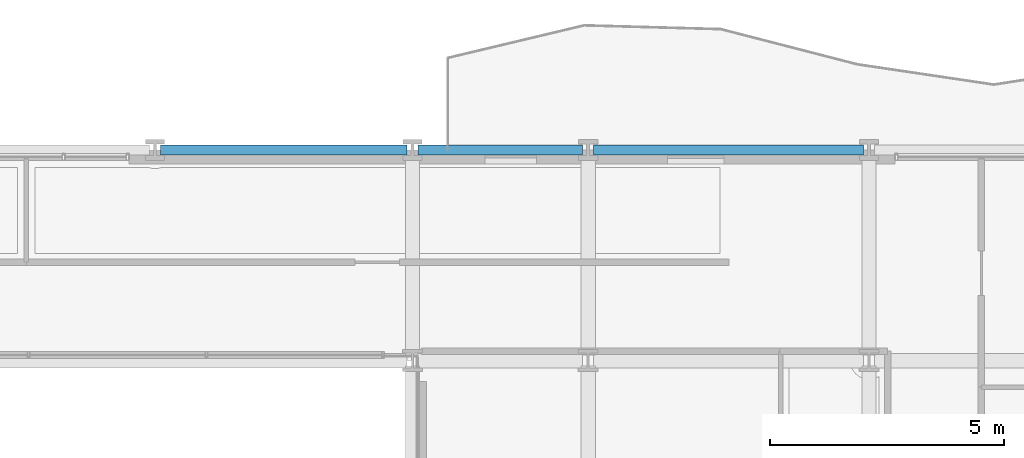
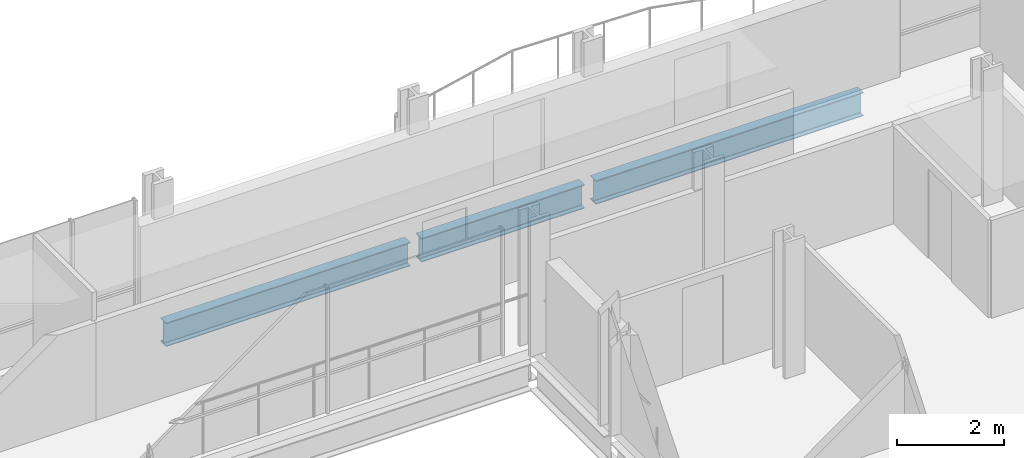
# One storey, part 23 of 41: 3 beams.
"""IFC4 building model written with IfcOpenShell, lengths in metres."""

import ifcopenshell
import ifcopenshell.guid

model = None  # the IFC model being written
_history = None  # IfcOwnerHistory: only IFC2X3 demands one
_inside = {}  # id of a spatial element -> (the spatial element, [elements in it])
_under = {}  # id of a project, library or spatial element -> (it, [spatial elements below it])
_declared = {}  # id of a project -> (the project, [libraries it declares])
_typed = {}  # id of a type object -> (the type object, [elements of that type])
_made_of = {}  # id of a material, layer set ... -> (it, [elements and type objects made of it])


def new_model(schema):
    """Start an empty IFC model of exactly this schema.

    Asked for "IFC4X3", IfcOpenShell would pick the latest addendum, in which some entities
    have other attributes; the version numbers below select the first issue.
    IFC2X3 requires an IfcOwnerHistory on every rooted entity: one is made here for all.
    """
    global model, _history
    if schema == "IFC4X3":
        model = ifcopenshell.file(schema_version=(4, 3, 0, 0))
    else:
        model = ifcopenshell.file(schema=schema)
    _inside.clear()
    _under.clear()
    _declared.clear()
    _typed.clear()
    _made_of.clear()
    _history = None
    if model.schema == "IFC2X3":
        org = make("IfcOrganization", Name="unknown")
        user = make(
            "IfcPersonAndOrganization",
            ThePerson=make("IfcPerson", FamilyName="unknown"),
            TheOrganization=org,
        )
        app = make(
            "IfcApplication",
            ApplicationDeveloper=org,
            Version="unknown",
            ApplicationFullName="unknown",
            ApplicationIdentifier="unknown",
        )
        _history = make(
            "IfcOwnerHistory",
            OwningUser=user,
            OwningApplication=app,
            ChangeAction="ADDED",
            CreationDate=0,
        )
    return model


def make(cls, **values):
    """One entity of the class cls with the attributes given. An attribute that is None is left unset."""
    return model.create_entity(
        cls, **{name: value for name, value in values.items() if value is not None}
    )


def rooted(cls, **values):
    """An entity with a GlobalId (a new one), such as an element, a storey or a relation."""
    return make(cls, GlobalId=ifcopenshell.guid.new(), OwnerHistory=_history, **values)


def si_unit(unit_type, name, prefix=None):
    """IfcSIUnit, for example si_unit("LENGTHUNIT", "METRE", prefix="MILLI")."""
    return make("IfcSIUnit", UnitType=unit_type, Prefix=prefix, Name=name)


def assignment(units):
    """IfcUnitAssignment: the units of a project."""
    return None if units is None else make("IfcUnitAssignment", Units=units)


def point(xyz):
    """IfcCartesianPoint."""
    return None if xyz is None else make("IfcCartesianPoint", Coordinates=xyz)


def direction(xyz):
    """IfcDirection."""
    return None if xyz is None else make("IfcDirection", DirectionRatios=xyz)


def frame(location, z_axis=None, x_axis=None):
    """IfcAxis2Placement3D, a coordinate frame: its origin and axes. An axis left out is left unset."""
    return make(
        "IfcAxis2Placement3D",
        Location=point(location),
        Axis=direction(z_axis),
        RefDirection=direction(x_axis),
    )


def frame_2d(location, x_axis=None):
    """IfcAxis2Placement2D, a coordinate frame in the plane: its origin and x axis."""
    return make(
        "IfcAxis2Placement2D", Location=point(location), RefDirection=direction(x_axis)
    )


def origin():
    """The frame at (0, 0, 0) with its axes left unset."""
    return frame((0.0, 0.0, 0.0))


def origin_2d():
    """The frame at (0, 0) in the plane with its x axis left unset."""
    return frame_2d((0.0, 0.0))


def place(relative_to, where):
    """IfcLocalPlacement: puts the frame where relative to a parent placement (None: the world)."""
    return make(
        "IfcLocalPlacement", PlacementRelTo=relative_to, RelativePlacement=where
    )


def context(
    kind, dimensions, precision=None, world=None, true_north=None, identifier=None
):
    """IfcGeometricRepresentationContext, for example the 3D "Model" context."""
    return make(
        "IfcGeometricRepresentationContext",
        ContextIdentifier=identifier,
        ContextType=kind,
        CoordinateSpaceDimension=dimensions,
        Precision=precision,
        WorldCoordinateSystem=world,
        TrueNorth=true_north,
    )


def subcontext(parent, identifier, kind, view, scale=None):
    """IfcGeometricRepresentationSubContext, for example "Body" below "Model"."""
    return make(
        "IfcGeometricRepresentationSubContext",
        ContextIdentifier=identifier,
        ContextType=kind,
        ParentContext=parent,
        TargetScale=scale,
        TargetView=view,
    )


def project(units=None, contexts=None):
    """IfcProject with its units and contexts."""
    return rooted(
        "IfcProject",
        Name="project",
        RepresentationContexts=contexts,
        UnitsInContext=assignment(units),
    )


def spatial(cls, under=None, at=None, **own):
    """A site, building, storey or space (cls), placed at a placement, below another one or the project."""
    s = rooted(cls, ObjectPlacement=at, **own)
    if under is not None:
        _under.setdefault(under.id(), (under, []))[1].append(s)
    return s


def profile(cls, at=None, kind="AREA", **sizes):
    """A parametric profile (cls). Its sizes go by their IFC names, for example OverallWidth=200.0."""
    return make(cls, ProfileType=kind, Position=at, **sizes)


def i_section(**sizes):
    """IfcIShapeProfileDef."""
    return profile("IfcIShapeProfileDef", **sizes)


def extrude(swept, where, along, depth):
    """IfcExtrudedAreaSolid: the profile swept, set in the frame where, extruded along a direction by depth."""
    return make(
        "IfcExtrudedAreaSolid",
        SweptArea=swept,
        Position=where,
        ExtrudedDirection=direction(along),
        Depth=depth,
    )


def shape(context_of_items, identifier, shape_type, items):
    """IfcShapeRepresentation: the items that make up one representation, for example the "Body"."""
    return make(
        "IfcShapeRepresentation",
        ContextOfItems=context_of_items,
        RepresentationIdentifier=identifier,
        RepresentationType=shape_type,
        Items=items,
    )


def material(Name=None, Category=None):
    """IfcMaterial."""
    return make("IfcMaterial", Name=Name, Category=Category)


def material_profile(
    of_material, cross_section, Name=None, Category=None, Priority=None
):
    """IfcMaterialProfile: a cross section and its material."""
    return make(
        "IfcMaterialProfile",
        Name=Name,
        Material=of_material,
        Profile=cross_section,
        Priority=Priority,
        Category=Category,
    )


def profile_set(profiles, Name=None, composite=None):
    """IfcMaterialProfileSet."""
    return make(
        "IfcMaterialProfileSet",
        Name=Name,
        MaterialProfiles=profiles,
        CompositeProfile=composite,
    )


def made_of(thing, what):
    """Note that an element or type object is made of a material, layer set ...; save() writes the relation."""
    if what is not None:
        _made_of.setdefault(what.id(), (what, []))[1].append(thing)
    return thing


def type_object(cls, material=None, **own):
    """A type object (cls), such as IfcWallType, which elements share."""
    return made_of(rooted(cls, **own), material)


def element(
    cls,
    number,
    at=None,
    inside=None,
    cuts=None,
    type_object=None,
    material=None,
    context=None,
    identifier="Body",
    shape_type=None,
    held_by="IfcProductDefinitionShape",
    body=None,
    shapes=None,
    **own,
):
    """One element of the class cls, such as IfcWall. Its Tag is "e" and its number.

    at: its placement. inside: the storey or other place that contains it. cuts: it is an
    opening in that element (IfcRelVoidsElement). A single representation is given by context,
    identifier, shape_type and body (its items); several are given by shapes. held_by: the class
    of the entity that holds the representations. save() writes the other relations.
    """
    e = rooted(cls, Tag="e%d" % number, ObjectPlacement=at, **own)
    if body is not None:
        shapes = [shape(context, identifier, shape_type, body)]
    if shapes is not None:
        e.Representation = make(held_by, Representations=shapes)
    if inside is not None:
        _inside.setdefault(inside.id(), (inside, []))[1].append(e)
    if cuts is not None:
        rooted(
            "IfcRelVoidsElement", RelatingBuildingElement=cuts, RelatedOpeningElement=e
        )
    if type_object is not None:
        _typed.setdefault(type_object.id(), (type_object, []))[1].append(e)
    return made_of(e, material)


def aggregate(whole, parts):
    """IfcRelAggregates: a whole, such as a stair, and the parts it consists of."""
    return rooted("IfcRelAggregates", RelatingObject=whole, RelatedObjects=parts)


def save(model, path):
    """Write the relations noted so far, then the file.

    IfcRelAggregates (storeys below a building ...), IfcRelContainedInSpatialStructure (elements
    in a storey), IfcRelDefinesByType, IfcRelAssociatesMaterial and IfcRelDeclares: one each for
    every whole, place, type object, material and project.
    """
    for whole, parts in _under.values():
        aggregate(whole, parts)
    for where, things in _inside.values():
        rooted(
            "IfcRelContainedInSpatialStructure",
            RelatedElements=things,
            RelatingStructure=where,
        )
    for kind, things in _typed.values():
        rooted("IfcRelDefinesByType", RelatedObjects=things, RelatingType=kind)
    for what, things in _made_of.values():
        rooted("IfcRelAssociatesMaterial", RelatedObjects=things, RelatingMaterial=what)
    for by, libraries in _declared.values():
        rooted("IfcRelDeclares", RelatingContext=by, RelatedDefinitions=libraries)
    model.write(path)


model = new_model("IFC4")

# Units and contexts
model_context = context("Model", 3, precision=1e-05, world=origin(), true_north=direction((0.0, 1.0)))
body_context = subcontext(model_context, "Body", "Model", "MODEL_VIEW")
ifc_project = project(units=[si_unit("LENGTHUNIT", "METRE"), si_unit("AREAUNIT", "SQUARE_METRE"), si_unit("VOLUMEUNIT", "CUBIC_METRE"), si_unit("PLANEANGLEUNIT", "RADIAN"), si_unit("MASSUNIT", "GRAM", prefix="KILO")], contexts=[model_context])

# Site, building, storey
site_placement = place(None, origin())
site = spatial("IfcSite", under=ifc_project, at=site_placement, CompositionType="ELEMENT")
building_placement = place(site_placement, origin())
building = spatial("IfcBuilding", under=site, at=building_placement, Name="Brevholm Reach", CompositionType="ELEMENT")
storey_placement = place(building_placement, frame((0.0, 0.0, 43.5)))
storey = spatial("IfcBuildingStorey", under=building, at=storey_placement, Name="L11", CompositionType="ELEMENT", Elevation=43.5)

# Beams
ifc_material = material(Name="Structural Steel S355J2", Category="steel")
ifc_material_profile = material_profile(ifc_material, i_section(OverallWidth=0.210693359375, OverallDepth=0.53955078125, WebThickness=0.01171875, FlangeThickness=0.018798828125, FilletRadius=0.0126953125, at=origin_2d()), Name="UKB 533x210x109")
ifc_profile_set = profile_set([ifc_material_profile], Name="Structural Steel S355J2")
beam_type = type_object("IfcBeamType", Name="BM-SP539", PredefinedType="SPANDREL", material=ifc_profile_set)
beam_1_placement = place(storey_placement, frame((32.8701171875, 31.0, -0.499755859375), z_axis=(1.0, 0.0, 0.0), x_axis=(0.0, 1.0, 0.0)))
element("IfcBeam", 1, at=beam_1_placement, inside=storey, type_object=beam_type, Name="L11 SP-01B Framing Beam", PredefinedType="SPANDREL", context=body_context, shape_type="SweptSolid", body=[
    extrude(i_section(OverallWidth=0.210693359375, OverallDepth=0.53955078125, WebThickness=0.01171875, FlangeThickness=0.018798828125, FilletRadius=0.0126953125, at=origin_2d()), origin(), (0.0, 0.0, 1.0), 5.259765625),
])
beam_2_placement = place(storey_placement, frame((38.3701171875, 31.0, -0.499755859375), z_axis=(1.0, 0.0, 0.0), x_axis=(0.0, 1.0, 0.0)))
element("IfcBeam", 2, at=beam_2_placement, inside=storey, type_object=beam_type, Name="L11 SP-01B Framing Beam", PredefinedType="SPANDREL", context=body_context, shape_type="SweptSolid", body=[
    extrude(i_section(OverallWidth=0.210693359375, OverallDepth=0.53955078125, WebThickness=0.01171875, FlangeThickness=0.018798828125, FilletRadius=0.0126953125, at=origin_2d()), origin(), (0.0, 0.0, 1.0), 3.509765625),
])
beam_3_placement = place(storey_placement, frame((42.1201171875, 31.0, -0.499755859375), z_axis=(1.0, 0.0, 0.0), x_axis=(0.0, 1.0, 0.0)))
element("IfcBeam", 3, at=beam_3_placement, inside=storey, type_object=beam_type, Name="L11 SP-01B Framing Beam", PredefinedType="SPANDREL", context=body_context, shape_type="SweptSolid", body=[
    extrude(i_section(OverallWidth=0.210693359375, OverallDepth=0.53955078125, WebThickness=0.01171875, FlangeThickness=0.018798828125, FilletRadius=0.0126953125, at=origin_2d()), origin(), (0.0, 0.0, 1.0), 5.759765625),
])

save(model, "model.ifc")
